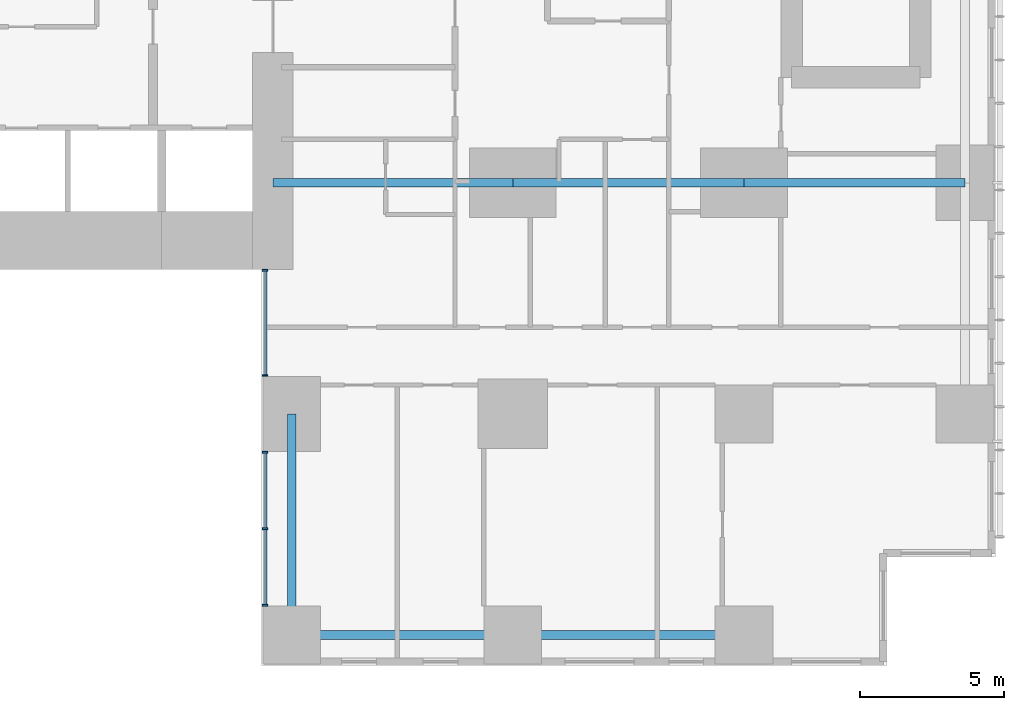
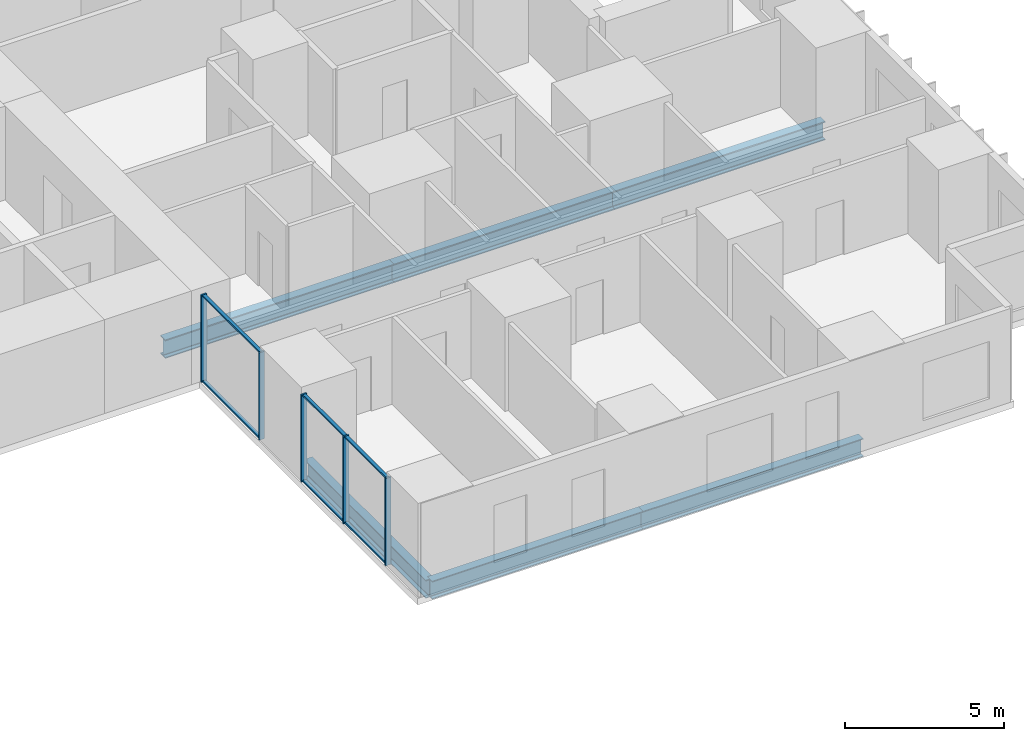
# One storey, part 3 of 20: 11 members, 6 beams, 2 elements without a shape of their own.
"""IFC4 building model written with IfcOpenShell, lengths in metres."""

import ifcopenshell
import ifcopenshell.guid

model = None  # the IFC model being written
_history = None  # IfcOwnerHistory: only IFC2X3 demands one
_inside = {}  # id of a spatial element -> (the spatial element, [elements in it])
_under = {}  # id of a project, library or spatial element -> (it, [spatial elements below it])
_declared = {}  # id of a project -> (the project, [libraries it declares])
_typed = {}  # id of a type object -> (the type object, [elements of that type])
_made_of = {}  # id of a material, layer set ... -> (it, [elements and type objects made of it])


def new_model(schema):
    """Start an empty IFC model of exactly this schema.

    Asked for "IFC4X3", IfcOpenShell would pick the latest addendum, in which some entities
    have other attributes; the version numbers below select the first issue.
    IFC2X3 requires an IfcOwnerHistory on every rooted entity: one is made here for all.
    """
    global model, _history
    if schema == "IFC4X3":
        model = ifcopenshell.file(schema_version=(4, 3, 0, 0))
    else:
        model = ifcopenshell.file(schema=schema)
    _inside.clear()
    _under.clear()
    _declared.clear()
    _typed.clear()
    _made_of.clear()
    _history = None
    if model.schema == "IFC2X3":
        org = make("IfcOrganization", Name="unknown")
        user = make(
            "IfcPersonAndOrganization",
            ThePerson=make("IfcPerson", FamilyName="unknown"),
            TheOrganization=org,
        )
        app = make(
            "IfcApplication",
            ApplicationDeveloper=org,
            Version="unknown",
            ApplicationFullName="unknown",
            ApplicationIdentifier="unknown",
        )
        _history = make(
            "IfcOwnerHistory",
            OwningUser=user,
            OwningApplication=app,
            ChangeAction="ADDED",
            CreationDate=0,
        )
    return model


def make(cls, **values):
    """One entity of the class cls with the attributes given. An attribute that is None is left unset."""
    return model.create_entity(
        cls, **{name: value for name, value in values.items() if value is not None}
    )


def rooted(cls, **values):
    """An entity with a GlobalId (a new one), such as an element, a storey or a relation."""
    return make(cls, GlobalId=ifcopenshell.guid.new(), OwnerHistory=_history, **values)


def si_unit(unit_type, name, prefix=None):
    """IfcSIUnit, for example si_unit("LENGTHUNIT", "METRE", prefix="MILLI")."""
    return make("IfcSIUnit", UnitType=unit_type, Prefix=prefix, Name=name)


def assignment(units):
    """IfcUnitAssignment: the units of a project."""
    return None if units is None else make("IfcUnitAssignment", Units=units)


def point(xyz):
    """IfcCartesianPoint."""
    return None if xyz is None else make("IfcCartesianPoint", Coordinates=xyz)


def direction(xyz):
    """IfcDirection."""
    return None if xyz is None else make("IfcDirection", DirectionRatios=xyz)


def frame(location, z_axis=None, x_axis=None):
    """IfcAxis2Placement3D, a coordinate frame: its origin and axes. An axis left out is left unset."""
    return make(
        "IfcAxis2Placement3D",
        Location=point(location),
        Axis=direction(z_axis),
        RefDirection=direction(x_axis),
    )


def frame_2d(location, x_axis=None):
    """IfcAxis2Placement2D, a coordinate frame in the plane: its origin and x axis."""
    return make(
        "IfcAxis2Placement2D", Location=point(location), RefDirection=direction(x_axis)
    )


def origin():
    """The frame at (0, 0, 0) with its axes left unset."""
    return frame((0.0, 0.0, 0.0))


def origin_2d():
    """The frame at (0, 0) in the plane with its x axis left unset."""
    return frame_2d((0.0, 0.0))


def place(relative_to, where):
    """IfcLocalPlacement: puts the frame where relative to a parent placement (None: the world)."""
    return make(
        "IfcLocalPlacement", PlacementRelTo=relative_to, RelativePlacement=where
    )


def context(
    kind, dimensions, precision=None, world=None, true_north=None, identifier=None
):
    """IfcGeometricRepresentationContext, for example the 3D "Model" context."""
    return make(
        "IfcGeometricRepresentationContext",
        ContextIdentifier=identifier,
        ContextType=kind,
        CoordinateSpaceDimension=dimensions,
        Precision=precision,
        WorldCoordinateSystem=world,
        TrueNorth=true_north,
    )


def subcontext(parent, identifier, kind, view, scale=None):
    """IfcGeometricRepresentationSubContext, for example "Body" below "Model"."""
    return make(
        "IfcGeometricRepresentationSubContext",
        ContextIdentifier=identifier,
        ContextType=kind,
        ParentContext=parent,
        TargetScale=scale,
        TargetView=view,
    )


def project(units=None, contexts=None):
    """IfcProject with its units and contexts."""
    return rooted(
        "IfcProject",
        Name="project",
        RepresentationContexts=contexts,
        UnitsInContext=assignment(units),
    )


def spatial(cls, under=None, at=None, **own):
    """A site, building, storey or space (cls), placed at a placement, below another one or the project."""
    s = rooted(cls, ObjectPlacement=at, **own)
    if under is not None:
        _under.setdefault(under.id(), (under, []))[1].append(s)
    return s


def profile(cls, at=None, kind="AREA", **sizes):
    """A parametric profile (cls). Its sizes go by their IFC names, for example OverallWidth=200.0."""
    return make(cls, ProfileType=kind, Position=at, **sizes)


def rectangle(**sizes):
    """IfcRectangleProfileDef."""
    return profile("IfcRectangleProfileDef", **sizes)


def i_section(**sizes):
    """IfcIShapeProfileDef."""
    return profile("IfcIShapeProfileDef", **sizes)


def extrude(swept, where, along, depth):
    """IfcExtrudedAreaSolid: the profile swept, set in the frame where, extruded along a direction by depth."""
    return make(
        "IfcExtrudedAreaSolid",
        SweptArea=swept,
        Position=where,
        ExtrudedDirection=direction(along),
        Depth=depth,
    )


def shape(context_of_items, identifier, shape_type, items):
    """IfcShapeRepresentation: the items that make up one representation, for example the "Body"."""
    return make(
        "IfcShapeRepresentation",
        ContextOfItems=context_of_items,
        RepresentationIdentifier=identifier,
        RepresentationType=shape_type,
        Items=items,
    )


def material(Name=None, Category=None):
    """IfcMaterial."""
    return make("IfcMaterial", Name=Name, Category=Category)


def layer(
    of_material, thickness, ventilated=None, Name=None, Category=None, Priority=None
):
    """IfcMaterialLayer: one layer of a wall or slab, of a material (None: an air gap)."""
    return make(
        "IfcMaterialLayer",
        Material=of_material,
        LayerThickness=thickness,
        IsVentilated=ventilated,
        Name=Name,
        Category=Category,
        Priority=Priority,
    )


def layer_set(layers, Name=None):
    """IfcMaterialLayerSet."""
    return make("IfcMaterialLayerSet", MaterialLayers=layers, LayerSetName=Name)


def material_profile(
    of_material, cross_section, Name=None, Category=None, Priority=None
):
    """IfcMaterialProfile: a cross section and its material."""
    return make(
        "IfcMaterialProfile",
        Name=Name,
        Material=of_material,
        Profile=cross_section,
        Priority=Priority,
        Category=Category,
    )


def profile_set(profiles, Name=None, composite=None):
    """IfcMaterialProfileSet."""
    return make(
        "IfcMaterialProfileSet",
        Name=Name,
        MaterialProfiles=profiles,
        CompositeProfile=composite,
    )


def made_of(thing, what):
    """Note that an element or type object is made of a material, layer set ...; save() writes the relation."""
    if what is not None:
        _made_of.setdefault(what.id(), (what, []))[1].append(thing)
    return thing


def type_object(cls, material=None, **own):
    """A type object (cls), such as IfcWallType, which elements share."""
    return made_of(rooted(cls, **own), material)


def element(
    cls,
    number,
    at=None,
    inside=None,
    cuts=None,
    type_object=None,
    material=None,
    context=None,
    identifier="Body",
    shape_type=None,
    held_by="IfcProductDefinitionShape",
    body=None,
    shapes=None,
    **own,
):
    """One element of the class cls, such as IfcWall. Its Tag is "e" and its number.

    at: its placement. inside: the storey or other place that contains it. cuts: it is an
    opening in that element (IfcRelVoidsElement). A single representation is given by context,
    identifier, shape_type and body (its items); several are given by shapes. held_by: the class
    of the entity that holds the representations. save() writes the other relations.
    """
    e = rooted(cls, Tag="e%d" % number, ObjectPlacement=at, **own)
    if body is not None:
        shapes = [shape(context, identifier, shape_type, body)]
    if shapes is not None:
        e.Representation = make(held_by, Representations=shapes)
    if inside is not None:
        _inside.setdefault(inside.id(), (inside, []))[1].append(e)
    if cuts is not None:
        rooted(
            "IfcRelVoidsElement", RelatingBuildingElement=cuts, RelatedOpeningElement=e
        )
    if type_object is not None:
        _typed.setdefault(type_object.id(), (type_object, []))[1].append(e)
    return made_of(e, material)


def aggregate(whole, parts):
    """IfcRelAggregates: a whole, such as a stair, and the parts it consists of."""
    return rooted("IfcRelAggregates", RelatingObject=whole, RelatedObjects=parts)


def save(model, path):
    """Write the relations noted so far, then the file.

    IfcRelAggregates (storeys below a building ...), IfcRelContainedInSpatialStructure (elements
    in a storey), IfcRelDefinesByType, IfcRelAssociatesMaterial and IfcRelDeclares: one each for
    every whole, place, type object, material and project.
    """
    for whole, parts in _under.values():
        aggregate(whole, parts)
    for where, things in _inside.values():
        rooted(
            "IfcRelContainedInSpatialStructure",
            RelatedElements=things,
            RelatingStructure=where,
        )
    for kind, things in _typed.values():
        rooted("IfcRelDefinesByType", RelatedObjects=things, RelatingType=kind)
    for what, things in _made_of.values():
        rooted("IfcRelAssociatesMaterial", RelatedObjects=things, RelatingMaterial=what)
    for by, libraries in _declared.values():
        rooted("IfcRelDeclares", RelatingContext=by, RelatedDefinitions=libraries)
    model.write(path)


model = new_model("IFC4")

# Units and contexts
model_context = context("Model", 3, precision=1e-05, world=origin(), true_north=direction((0.0, 1.0)))
body_context = subcontext(model_context, "Body", "Model", "MODEL_VIEW")
ifc_project = project(units=[si_unit("LENGTHUNIT", "METRE"), si_unit("AREAUNIT", "SQUARE_METRE"), si_unit("VOLUMEUNIT", "CUBIC_METRE"), si_unit("PLANEANGLEUNIT", "RADIAN"), si_unit("MASSUNIT", "GRAM", prefix="KILO")], contexts=[model_context])

# Site, building, storey
site_placement = place(None, origin())
site = spatial("IfcSite", under=ifc_project, at=site_placement, CompositionType="ELEMENT")
building_placement = place(site_placement, origin())
building = spatial("IfcBuilding", under=site, at=building_placement, Name="Cleftline Residences", CompositionType="ELEMENT")
storey_placement = place(building_placement, frame((0.0, 0.0, 157.39990234375)))
storey = spatial("IfcBuildingStorey", under=building, at=storey_placement, Name="L41", CompositionType="ELEMENT", Elevation=157.39990234375)

# Beams
ifc_material_1 = material(Name="Steel S355", Category="steel")
ifc_material_profile_1 = material_profile(ifc_material_1, i_section(OverallWidth=0.300048828125, OverallDepth=0.699951171875, WebThickness=0.01708984375, FlangeThickness=0.031982421875, FilletRadius=0.027099609375, at=origin_2d()))
ifc_profile_set_1 = profile_set([ifc_material_profile_1], Name="Steel S355")
beam_type_1 = type_object("IfcBeamType", Name="BEAM HEB 700", PredefinedType="BEAM", material=ifc_profile_set_1)
beam_1_placement = place(storey_placement, frame((58.0, 0.35009765625, -0.599853515625), z_axis=(-1.0, 0.0, 0.0), x_axis=(0.0, -1.0, 0.0)))
element("IfcBeam", 1, at=beam_1_placement, inside=storey, type_object=beam_type_1, Name="Edge beam", PredefinedType="BEAM", context=body_context, shape_type="SweptSolid", body=[
    extrude(i_section(OverallWidth=0.300048828125, OverallDepth=0.699951171875, WebThickness=0.01708984375, FlangeThickness=0.031982421875, FilletRadius=0.027099609375, at=origin_2d()), origin(), (0.0, 0.0, 1.0), 8.0),
])
for number, where, z_axis, x_axis, name in (
    (2, (50.0, 0.35009765625, -0.599853515625), (-1.0, 0.0, 0.0), (0.0, -1.0, 0.0), "Edge beam"),
    (3, (42.35009765625, 0.35009765625, -0.599853515625), (0.0, 1.0, 0.0), (-1.0, 0.0, 0.0), "Edge beam"),
):
    element("IfcBeam", number, at=place(storey_placement, frame(where, z_axis=z_axis, x_axis=x_axis)), inside=storey, type_object=beam_type_1, Name=name, PredefinedType="BEAM", context=body_context, shape_type="SweptSolid", body=[
        extrude(i_section(OverallWidth=0.300048828125, OverallDepth=0.699951171875, WebThickness=0.01708984375, FlangeThickness=0.031982421875, FilletRadius=0.027099609375, at=origin_2d()), origin(), (0.0, 0.0, 1.0), 7.64990234375),
    ])
ifc_material_2 = material(Name="Steel S355", Category="steel")
ifc_material_profile_2 = material_profile(ifc_material_2, i_section(OverallWidth=0.303955078125, OverallDepth=0.716064453125, WebThickness=0.02099609375, FlangeThickness=0.0400390625, FilletRadius=0.027099609375, at=origin_2d()))
ifc_profile_set_2 = profile_set([ifc_material_profile_2], Name="Steel S355")
beam_type_2 = type_object("IfcBeamType", Name="BEAM HEM 700", PredefinedType="BEAM", material=ifc_profile_set_2)
beam_2_placement = place(storey_placement, frame((65.64990234375, 16.0, -0.60791015625), z_axis=(-1.0, 0.0, 0.0), x_axis=(0.0, -1.0, 0.0)))
element("IfcBeam", 4, at=beam_2_placement, inside=storey, type_object=beam_type_2, Name="Band beam", PredefinedType="BEAM", context=body_context, shape_type="SweptSolid", body=[
    extrude(i_section(OverallWidth=0.303955078125, OverallDepth=0.716064453125, WebThickness=0.02099609375, FlangeThickness=0.0400390625, FilletRadius=0.027099609375, at=origin_2d()), origin(), (0.0, 0.0, 1.0), 7.64990234375),
])
beam_3_placement = place(storey_placement, frame((58.0, 16.0, -0.60791015625), z_axis=(-1.0, 0.0, 0.0), x_axis=(0.0, -1.0, 0.0)))
element("IfcBeam", 5, at=beam_3_placement, inside=storey, type_object=beam_type_2, Name="Band beam", PredefinedType="BEAM", context=body_context, shape_type="SweptSolid", body=[
    extrude(i_section(OverallWidth=0.303955078125, OverallDepth=0.716064453125, WebThickness=0.02099609375, FlangeThickness=0.0400390625, FilletRadius=0.027099609375, at=origin_2d()), origin(), (0.0, 0.0, 1.0), 8.0),
])
beam_4_placement = place(storey_placement, frame((50.0, 16.0, -0.60791015625), z_axis=(-1.0, 0.0, 0.0), x_axis=(0.0, -1.0, 0.0)))
element("IfcBeam", 6, at=beam_4_placement, inside=storey, type_object=beam_type_2, Name="Band beam", PredefinedType="BEAM", context=body_context, shape_type="SweptSolid", body=[
    extrude(i_section(OverallWidth=0.303955078125, OverallDepth=0.716064453125, WebThickness=0.02099609375, FlangeThickness=0.0400390625, FilletRadius=0.027099609375, at=origin_2d()), origin(), (0.0, 0.0, 1.0), 8.300048828125),
])

# Curtain wall, members
ifc_material_3 = material(Name="Aluminium framed curtain wall", Category="aluminium")
ifc_layer = layer(ifc_material_3, 0.199951171875)
ifc_layer_set = layer_set([ifc_layer], Name="CW1 CLEFT GLAZING")
curtain_wall_type = type_object("IfcCurtainWallType", Name="CW1 CLEFT GLAZING", PredefinedType="NOTDEFINED", material=ifc_layer_set)
curtain_wall_1_placement = place(storey_placement, origin())
curtain_wall_1 = element("IfcCurtainWall", 7, at=curtain_wall_1_placement, inside=storey, type_object=curtain_wall_type, Name="Curtain wall CW1", PredefinedType="NOTDEFINED")
ifc_material_4 = material(Name="Aluminium mullion", Category="aluminium")
ifc_material_profile_3 = material_profile(ifc_material_4, rectangle(XDim=0.199951171875, YDim=0.06005859375, at=origin_2d()))
ifc_profile_set_3 = profile_set([ifc_material_profile_3], Name="Aluminium mullion")
member_type_1 = type_object("IfcMemberType", Name="CW1 MULLION", PredefinedType="MULLION", material=ifc_profile_set_3)
member_1_placement = place(storey_placement, frame((41.425048828125, 12.969970703125, 0.0), z_axis=(0.0, 0.0, 1.0), x_axis=(1.0, 0.0, 0.0)))
member_1 = element("IfcMember", 8, at=member_1_placement, type_object=member_type_1, Name="CW1 mullion 1", PredefinedType="MULLION", context=body_context, shape_type="SweptSolid", body=[
    extrude(rectangle(XDim=0.199951171875, YDim=0.06005859375, at=origin_2d()), origin(), (0.0, 0.0, 1.0), 3.35009765625),
])
member_2_placement = place(storey_placement, frame((41.425048828125, 9.330078125, 0.0), z_axis=(0.0, 0.0, 1.0), x_axis=(1.0, 0.0, 0.0)))
member_2 = element("IfcMember", 9, at=member_2_placement, type_object=member_type_1, Name="CW1 mullion 2", PredefinedType="MULLION", context=body_context, shape_type="SweptSolid", body=[
    extrude(rectangle(XDim=0.199951171875, YDim=0.06005859375, at=origin_2d()), origin(), (0.0, 0.0, 1.0), 3.35009765625),
])

curtain_wall_2_placement = place(storey_placement, origin())
curtain_wall_2 = element("IfcCurtainWall", 10, at=curtain_wall_2_placement, inside=storey, type_object=curtain_wall_type, Name="Curtain wall CW1", PredefinedType="NOTDEFINED")
member_3_placement = place(storey_placement, frame((41.425048828125, 6.669921875, 0.0), z_axis=(0.0, 0.0, 1.0), x_axis=(1.0, 0.0, 0.0)))
member_3 = element("IfcMember", 11, at=member_3_placement, type_object=member_type_1, Name="CW1 mullion 1", PredefinedType="MULLION", context=body_context, shape_type="SweptSolid", body=[
    extrude(rectangle(XDim=0.199951171875, YDim=0.06005859375, at=origin_2d()), origin(), (0.0, 0.0, 1.0), 3.35009765625),
])
member_4_placement = place(storey_placement, frame((41.425048828125, 4.02490234375, 0.0), z_axis=(0.0, 0.0, 1.0), x_axis=(1.0, 0.0, 0.0)))
member_4 = element("IfcMember", 12, at=member_4_placement, type_object=member_type_1, Name="CW1 mullion 2", PredefinedType="MULLION", context=body_context, shape_type="SweptSolid", body=[
    extrude(rectangle(XDim=0.199951171875, YDim=0.06005859375, at=origin_2d()), origin(), (0.0, 0.0, 1.0), 3.35009765625),
])
member_5_placement = place(storey_placement, frame((41.425048828125, 1.3798828125, 0.0), z_axis=(0.0, 0.0, 1.0), x_axis=(1.0, 0.0, 0.0)))
member_5 = element("IfcMember", 13, at=member_5_placement, type_object=member_type_1, Name="CW1 mullion 3", PredefinedType="MULLION", context=body_context, shape_type="SweptSolid", body=[
    extrude(rectangle(XDim=0.199951171875, YDim=0.06005859375, at=origin_2d()), origin(), (0.0, 0.0, 1.0), 3.35009765625),
])

# Member
ifc_material_5 = material(Name="Aluminium transom", Category="aluminium")
ifc_material_profile_4 = material_profile(ifc_material_5, rectangle(XDim=0.1201171875, YDim=0.06005859375, at=origin_2d()))
ifc_profile_set_4 = profile_set([ifc_material_profile_4], Name="Aluminium transom")
member_type_2 = type_object("IfcMemberType", Name="CW1 TRANSOM", PredefinedType="USERDEFINED", material=ifc_profile_set_4)
member_6_placement = place(storey_placement, frame((41.425048828125, 12.93994140625, 0.030029296875), z_axis=(0.0, -1.0, 0.0), x_axis=(1.0, 0.0, 0.0)))
member_6 = element("IfcMember", 14, at=member_6_placement, type_object=member_type_2, Name="CW1 transom 1.1", ObjectType="TRANSOM", PredefinedType="USERDEFINED", context=body_context, shape_type="SweptSolid", body=[
    extrude(rectangle(XDim=0.1201171875, YDim=0.06005859375, at=origin_2d()), origin(), (0.0, 0.0, 1.0), 3.579833984375),
])

member_7_placement = place(storey_placement, frame((41.425048828125, 12.93994140625, 3.320068359375), z_axis=(0.0, -1.0, 0.0), x_axis=(1.0, 0.0, 0.0)))
member_7 = element("IfcMember", 15, at=member_7_placement, type_object=member_type_2, Name="CW1 transom 1.2", ObjectType="TRANSOM", PredefinedType="USERDEFINED", context=body_context, shape_type="SweptSolid", body=[
    extrude(rectangle(XDim=0.1201171875, YDim=0.06005859375, at=origin_2d()), origin(), (0.0, 0.0, 1.0), 3.579833984375),
])

aggregate(curtain_wall_1, [member_1, member_2, member_6, member_7])

member_8_placement = place(storey_placement, frame((41.425048828125, 6.639892578125, 0.030029296875), z_axis=(0.0, -1.0, 0.0), x_axis=(1.0, 0.0, 0.0)))
member_8 = element("IfcMember", 16, at=member_8_placement, type_object=member_type_2, Name="CW1 transom 1.1", ObjectType="TRANSOM", PredefinedType="USERDEFINED", context=body_context, shape_type="SweptSolid", body=[
    extrude(rectangle(XDim=0.1201171875, YDim=0.06005859375, at=origin_2d()), origin(), (0.0, 0.0, 1.0), 2.5849609375),
])

member_9_placement = place(storey_placement, frame((41.425048828125, 6.639892578125, 3.320068359375), z_axis=(0.0, -1.0, 0.0), x_axis=(1.0, 0.0, 0.0)))
member_9 = element("IfcMember", 17, at=member_9_placement, type_object=member_type_2, Name="CW1 transom 1.2", ObjectType="TRANSOM", PredefinedType="USERDEFINED", context=body_context, shape_type="SweptSolid", body=[
    extrude(rectangle(XDim=0.1201171875, YDim=0.06005859375, at=origin_2d()), origin(), (0.0, 0.0, 1.0), 2.5849609375),
])

member_10_placement = place(storey_placement, frame((41.425048828125, 3.9951171875, 0.030029296875), z_axis=(0.0, -1.0, 0.0), x_axis=(1.0, 0.0, 0.0)))
member_10 = element("IfcMember", 18, at=member_10_placement, type_object=member_type_2, Name="CW1 transom 2.1", ObjectType="TRANSOM", PredefinedType="USERDEFINED", context=body_context, shape_type="SweptSolid", body=[
    extrude(rectangle(XDim=0.1201171875, YDim=0.06005859375, at=origin_2d()), origin(), (0.0, 0.0, 1.0), 2.585205078125),
])

member_11_placement = place(storey_placement, frame((41.425048828125, 3.9951171875, 3.320068359375), z_axis=(0.0, -1.0, 0.0), x_axis=(1.0, 0.0, 0.0)))
member_11 = element("IfcMember", 19, at=member_11_placement, type_object=member_type_2, Name="CW1 transom 2.2", ObjectType="TRANSOM", PredefinedType="USERDEFINED", context=body_context, shape_type="SweptSolid", body=[
    extrude(rectangle(XDim=0.1201171875, YDim=0.06005859375, at=origin_2d()), origin(), (0.0, 0.0, 1.0), 2.585205078125),
])

aggregate(curtain_wall_2, [member_3, member_4, member_5, member_8, member_9, member_10, member_11])

save(model, "model.ifc")
